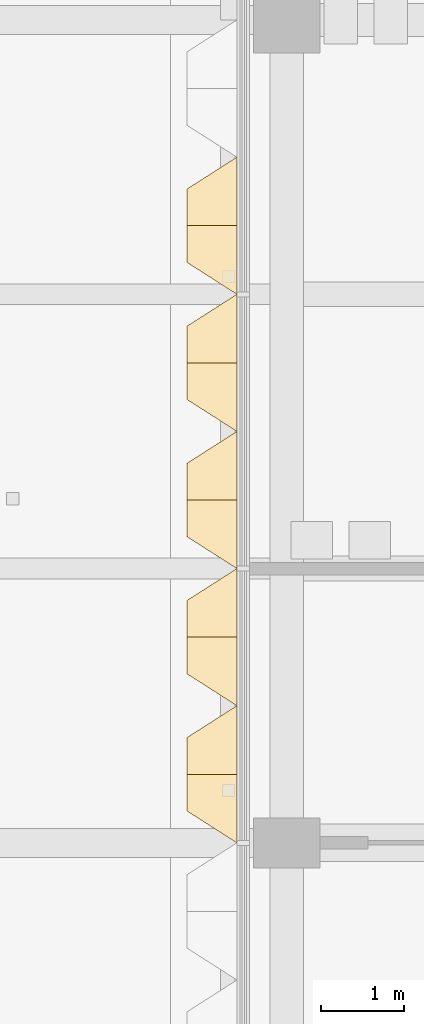
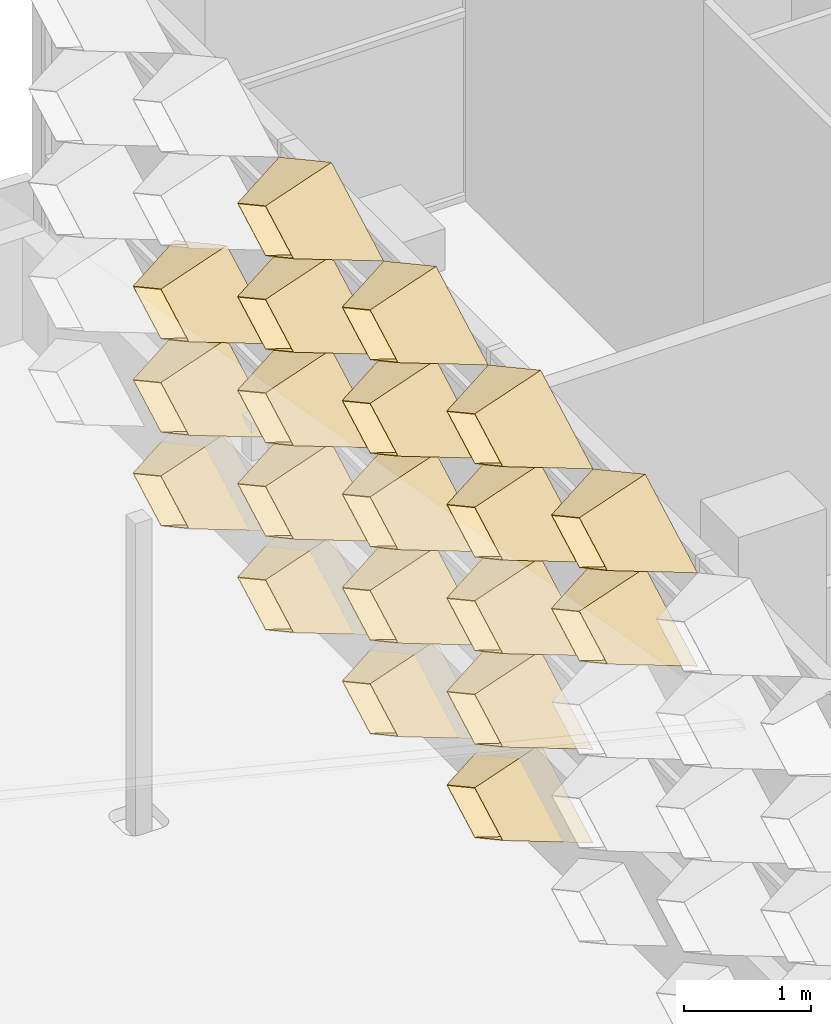
# One storey, part 26 of 39: 20 coverings.
"""IFC4 building model written with IfcOpenShell, lengths in metres."""

from ifc_helpers import new_model, entity, si_unit, direction, frame, origin, place, context, subcontext, project, spatial, material, layer, layer_set, type_object, element, save


model = new_model("IFC4")

# Units and contexts
model_context = context("Model", 3, precision=1e-05, world=origin(), true_north=direction((0.0, 1.0)))
body_context = subcontext(model_context, "Body", "Model", "MODEL_VIEW")
ifc_project = project(units=[si_unit("LENGTHUNIT", "METRE"), si_unit("AREAUNIT", "SQUARE_METRE"), si_unit("VOLUMEUNIT", "CUBIC_METRE"), si_unit("PLANEANGLEUNIT", "RADIAN"), si_unit("MASSUNIT", "GRAM", prefix="KILO")], contexts=[model_context])

# Site, building, storey
site_placement = place(None, origin())
site = spatial("IfcSite", under=ifc_project, at=site_placement, CompositionType="ELEMENT")
building_placement = place(site_placement, origin())
building = spatial("IfcBuilding", under=site, at=building_placement, Name="Lantern Court Research Institute", CompositionType="ELEMENT")
storey_placement = place(building_placement, frame((0.0, 0.0, 27.89990234375)))
storey = spatial("IfcBuildingStorey", under=building, at=storey_placement, Name="L06", CompositionType="ELEMENT", Elevation=27.89990234375)

# Coverings
ifc_material = material(Name="Anodised aluminium", Category="aluminium")
ifc_layer = layer(ifc_material, 0.01611328125)
ifc_layer_set = layer_set([ifc_layer], Name="Anodised aluminium")
covering_type = type_object("IfcCoveringType", Name="Fin cassette 1650 x 900 x 600 aluminium", PredefinedType="CLADDING", material=ifc_layer_set)
covering_1_placement = place(storey_placement, frame((52.199951171875, 15.675048828125, 0.4501953125), z_axis=(-1.0, 0.0, 0.0), x_axis=(0.0, -1.0, 0.0)))
cartesian_point_1 = entity("IfcCartesianPoint", [0.824951171875, 0.0])
cartesian_point_2 = entity("IfcCartesianPoint", [0.79150390625, 0.0])
cartesian_point_3 = entity("IfcCartesianPoint", [0.44189453125, 0.0])
cartesian_point_4 = entity("IfcCartesianPoint", [0.43359375, 0.0])
element("IfcCovering", 1, at=covering_1_placement, inside=storey, type_object=covering_type, Name="Fin cassette V5W-L06 1.10", PredefinedType="CLADDING", context=body_context, shape_type="SweptSolid", body=[
    entity("IfcExtrudedAreaSolidTapered", entity("IfcArbitraryProfileDefWithVoids", "AREA", None, entity("IfcPolyline", [cartesian_point_1, entity("IfcCartesianPoint", [0.0, 0.449951171875]), entity("IfcCartesianPoint", [-0.824951171875, 0.0]), entity("IfcCartesianPoint", [0.0, -0.449951171875]), cartesian_point_1]), [entity("IfcPolyline", [cartesian_point_2, entity("IfcCartesianPoint", [0.0, 0.431884765625]), entity("IfcCartesianPoint", [-0.79150390625, 0.0]), entity("IfcCartesianPoint", [0.0, -0.431884765625]), cartesian_point_2])]), entity("IfcAxis2Placement3D", entity("IfcCartesianPoint", [0.0, 0.0, 0.0])), entity("IfcDirection", [0.0, 0.0, 1.0]), 0.60009765625, entity("IfcArbitraryProfileDefWithVoids", "AREA", None, entity("IfcPolyline", [cartesian_point_3, entity("IfcCartesianPoint", [0.0, 0.240966796875]), entity("IfcCartesianPoint", [-0.44189453125, 0.0]), entity("IfcCartesianPoint", [0.0, -0.240966796875]), cartesian_point_3]), [entity("IfcPolyline", [cartesian_point_4, entity("IfcCartesianPoint", [0.0, 0.236572265625]), entity("IfcCartesianPoint", [-0.43359375, 0.0]), entity("IfcCartesianPoint", [0.0, -0.236572265625]), cartesian_point_4])])),
])
covering_2_placement = place(storey_placement, frame((52.199951171875, 17.324951171875, 0.4501953125), z_axis=(-1.0, 0.0, 0.0), x_axis=(0.0, -1.0, 0.0)))
cartesian_point_5 = entity("IfcCartesianPoint", [0.824951171875, 0.0])
cartesian_point_6 = entity("IfcCartesianPoint", [0.79150390625, 0.0])
cartesian_point_7 = entity("IfcCartesianPoint", [0.44189453125, 0.0])
cartesian_point_8 = entity("IfcCartesianPoint", [0.43359375, 0.0])
element("IfcCovering", 2, at=covering_2_placement, inside=storey, type_object=covering_type, Name="Fin cassette V5W-L06 1.11", PredefinedType="CLADDING", context=body_context, shape_type="SweptSolid", body=[
    entity("IfcExtrudedAreaSolidTapered", entity("IfcArbitraryProfileDefWithVoids", "AREA", None, entity("IfcPolyline", [cartesian_point_5, entity("IfcCartesianPoint", [0.0, 0.449951171875]), entity("IfcCartesianPoint", [-0.824951171875, 0.0]), entity("IfcCartesianPoint", [0.0, -0.449951171875]), cartesian_point_5]), [entity("IfcPolyline", [cartesian_point_6, entity("IfcCartesianPoint", [0.0, 0.431884765625]), entity("IfcCartesianPoint", [-0.79150390625, 0.0]), entity("IfcCartesianPoint", [0.0, -0.431884765625]), cartesian_point_6])]), entity("IfcAxis2Placement3D", entity("IfcCartesianPoint", [0.0, 0.0, 0.0])), entity("IfcDirection", [0.0, 0.0, 1.0]), 0.60009765625, entity("IfcArbitraryProfileDefWithVoids", "AREA", None, entity("IfcPolyline", [cartesian_point_7, entity("IfcCartesianPoint", [0.0, 0.240966796875]), entity("IfcCartesianPoint", [-0.44189453125, 0.0]), entity("IfcCartesianPoint", [0.0, -0.240966796875]), cartesian_point_7]), [entity("IfcPolyline", [cartesian_point_8, entity("IfcCartesianPoint", [0.0, 0.236572265625]), entity("IfcCartesianPoint", [-0.43359375, 0.0]), entity("IfcCartesianPoint", [0.0, -0.236572265625]), cartesian_point_8])])),
])
covering_3_placement = place(storey_placement, frame((52.199951171875, 18.97509765625, 0.4501953125), z_axis=(-1.0, 0.0, 0.0), x_axis=(0.0, -1.0, 0.0)))
cartesian_point_9 = entity("IfcCartesianPoint", [0.824951171875, 0.0])
cartesian_point_10 = entity("IfcCartesianPoint", [0.79150390625, 0.0])
cartesian_point_11 = entity("IfcCartesianPoint", [0.44189453125, 0.0])
cartesian_point_12 = entity("IfcCartesianPoint", [0.43359375, 0.0])
element("IfcCovering", 3, at=covering_3_placement, inside=storey, type_object=covering_type, Name="Fin cassette V5W-L06 1.12", PredefinedType="CLADDING", context=body_context, shape_type="SweptSolid", body=[
    entity("IfcExtrudedAreaSolidTapered", entity("IfcArbitraryProfileDefWithVoids", "AREA", None, entity("IfcPolyline", [cartesian_point_9, entity("IfcCartesianPoint", [0.0, 0.449951171875]), entity("IfcCartesianPoint", [-0.824951171875, 0.0]), entity("IfcCartesianPoint", [0.0, -0.449951171875]), cartesian_point_9]), [entity("IfcPolyline", [cartesian_point_10, entity("IfcCartesianPoint", [0.0, 0.431884765625]), entity("IfcCartesianPoint", [-0.79150390625, 0.0]), entity("IfcCartesianPoint", [0.0, -0.431884765625]), cartesian_point_10])]), entity("IfcAxis2Placement3D", entity("IfcCartesianPoint", [0.0, 0.0, 0.0])), entity("IfcDirection", [0.0, 0.0, 1.0]), 0.60009765625, entity("IfcArbitraryProfileDefWithVoids", "AREA", None, entity("IfcPolyline", [cartesian_point_11, entity("IfcCartesianPoint", [0.0, 0.240966796875]), entity("IfcCartesianPoint", [-0.44189453125, 0.0]), entity("IfcCartesianPoint", [0.0, -0.240966796875]), cartesian_point_11]), [entity("IfcPolyline", [cartesian_point_12, entity("IfcCartesianPoint", [0.0, 0.236572265625]), entity("IfcCartesianPoint", [-0.43359375, 0.0]), entity("IfcCartesianPoint", [0.0, -0.236572265625]), cartesian_point_12])])),
])
covering_4_placement = place(storey_placement, frame((52.199951171875, 20.625, 0.4501953125), z_axis=(-1.0, 0.0, 0.0), x_axis=(0.0, -1.0, 0.0)))
cartesian_point_13 = entity("IfcCartesianPoint", [0.824951171875, 0.0])
cartesian_point_14 = entity("IfcCartesianPoint", [0.79150390625, 0.0])
cartesian_point_15 = entity("IfcCartesianPoint", [0.44189453125, 0.0])
cartesian_point_16 = entity("IfcCartesianPoint", [0.43359375, 0.0])
element("IfcCovering", 4, at=covering_4_placement, inside=storey, type_object=covering_type, Name="Fin cassette V5W-L06 1.13", PredefinedType="CLADDING", context=body_context, shape_type="SweptSolid", body=[
    entity("IfcExtrudedAreaSolidTapered", entity("IfcArbitraryProfileDefWithVoids", "AREA", None, entity("IfcPolyline", [cartesian_point_13, entity("IfcCartesianPoint", [0.0, 0.449951171875]), entity("IfcCartesianPoint", [-0.824951171875, 0.0]), entity("IfcCartesianPoint", [0.0, -0.449951171875]), cartesian_point_13]), [entity("IfcPolyline", [cartesian_point_14, entity("IfcCartesianPoint", [0.0, 0.431884765625]), entity("IfcCartesianPoint", [-0.79150390625, 0.0]), entity("IfcCartesianPoint", [0.0, -0.431884765625]), cartesian_point_14])]), entity("IfcAxis2Placement3D", entity("IfcCartesianPoint", [0.0, 0.0, 0.0])), entity("IfcDirection", [0.0, 0.0, 1.0]), 0.60009765625, entity("IfcArbitraryProfileDefWithVoids", "AREA", None, entity("IfcPolyline", [cartesian_point_15, entity("IfcCartesianPoint", [0.0, 0.240966796875]), entity("IfcCartesianPoint", [-0.44189453125, 0.0]), entity("IfcCartesianPoint", [0.0, -0.240966796875]), cartesian_point_15]), [entity("IfcPolyline", [cartesian_point_16, entity("IfcCartesianPoint", [0.0, 0.236572265625]), entity("IfcCartesianPoint", [-0.43359375, 0.0]), entity("IfcCartesianPoint", [0.0, -0.236572265625]), cartesian_point_16])])),
])
covering_5_placement = place(storey_placement, frame((52.199951171875, 15.675048828125, 1.35009765625), z_axis=(-1.0, 0.0, 0.0), x_axis=(0.0, -1.0, 0.0)))
cartesian_point_17 = entity("IfcCartesianPoint", [0.824951171875, 0.0])
cartesian_point_18 = entity("IfcCartesianPoint", [0.79150390625, 0.0])
cartesian_point_19 = entity("IfcCartesianPoint", [0.44189453125, 0.0])
cartesian_point_20 = entity("IfcCartesianPoint", [0.43359375, 0.0])
element("IfcCovering", 5, at=covering_5_placement, inside=storey, type_object=covering_type, Name="Fin cassette V5W-L06 2.10", PredefinedType="CLADDING", context=body_context, shape_type="SweptSolid", body=[
    entity("IfcExtrudedAreaSolidTapered", entity("IfcArbitraryProfileDefWithVoids", "AREA", None, entity("IfcPolyline", [cartesian_point_17, entity("IfcCartesianPoint", [0.0, 0.449951171875]), entity("IfcCartesianPoint", [-0.824951171875, 0.0]), entity("IfcCartesianPoint", [0.0, -0.449951171875]), cartesian_point_17]), [entity("IfcPolyline", [cartesian_point_18, entity("IfcCartesianPoint", [0.0, 0.431884765625]), entity("IfcCartesianPoint", [-0.79150390625, 0.0]), entity("IfcCartesianPoint", [0.0, -0.431884765625]), cartesian_point_18])]), entity("IfcAxis2Placement3D", entity("IfcCartesianPoint", [0.0, 0.0, 0.0])), entity("IfcDirection", [0.0, 0.0, 1.0]), 0.60009765625, entity("IfcArbitraryProfileDefWithVoids", "AREA", None, entity("IfcPolyline", [cartesian_point_19, entity("IfcCartesianPoint", [0.0, 0.240966796875]), entity("IfcCartesianPoint", [-0.44189453125, 0.0]), entity("IfcCartesianPoint", [0.0, -0.240966796875]), cartesian_point_19]), [entity("IfcPolyline", [cartesian_point_20, entity("IfcCartesianPoint", [0.0, 0.236572265625]), entity("IfcCartesianPoint", [-0.43359375, 0.0]), entity("IfcCartesianPoint", [0.0, -0.236572265625]), cartesian_point_20])])),
])
covering_6_placement = place(storey_placement, frame((52.199951171875, 17.324951171875, 1.35009765625), z_axis=(-1.0, 0.0, 0.0), x_axis=(0.0, -1.0, 0.0)))
cartesian_point_21 = entity("IfcCartesianPoint", [0.824951171875, 0.0])
cartesian_point_22 = entity("IfcCartesianPoint", [0.79150390625, 0.0])
cartesian_point_23 = entity("IfcCartesianPoint", [0.44189453125, 0.0])
cartesian_point_24 = entity("IfcCartesianPoint", [0.43359375, 0.0])
element("IfcCovering", 6, at=covering_6_placement, inside=storey, type_object=covering_type, Name="Fin cassette V5W-L06 2.11", PredefinedType="CLADDING", context=body_context, shape_type="SweptSolid", body=[
    entity("IfcExtrudedAreaSolidTapered", entity("IfcArbitraryProfileDefWithVoids", "AREA", None, entity("IfcPolyline", [cartesian_point_21, entity("IfcCartesianPoint", [0.0, 0.449951171875]), entity("IfcCartesianPoint", [-0.824951171875, 0.0]), entity("IfcCartesianPoint", [0.0, -0.449951171875]), cartesian_point_21]), [entity("IfcPolyline", [cartesian_point_22, entity("IfcCartesianPoint", [0.0, 0.431884765625]), entity("IfcCartesianPoint", [-0.79150390625, 0.0]), entity("IfcCartesianPoint", [0.0, -0.431884765625]), cartesian_point_22])]), entity("IfcAxis2Placement3D", entity("IfcCartesianPoint", [0.0, 0.0, 0.0])), entity("IfcDirection", [0.0, 0.0, 1.0]), 0.60009765625, entity("IfcArbitraryProfileDefWithVoids", "AREA", None, entity("IfcPolyline", [cartesian_point_23, entity("IfcCartesianPoint", [0.0, 0.240966796875]), entity("IfcCartesianPoint", [-0.44189453125, 0.0]), entity("IfcCartesianPoint", [0.0, -0.240966796875]), cartesian_point_23]), [entity("IfcPolyline", [cartesian_point_24, entity("IfcCartesianPoint", [0.0, 0.236572265625]), entity("IfcCartesianPoint", [-0.43359375, 0.0]), entity("IfcCartesianPoint", [0.0, -0.236572265625]), cartesian_point_24])])),
])
covering_7_placement = place(storey_placement, frame((52.199951171875, 18.97509765625, 1.35009765625), z_axis=(-1.0, 0.0, 0.0), x_axis=(0.0, -1.0, 0.0)))
cartesian_point_25 = entity("IfcCartesianPoint", [0.824951171875, 0.0])
cartesian_point_26 = entity("IfcCartesianPoint", [0.79150390625, 0.0])
cartesian_point_27 = entity("IfcCartesianPoint", [0.44189453125, 0.0])
cartesian_point_28 = entity("IfcCartesianPoint", [0.43359375, 0.0])
element("IfcCovering", 7, at=covering_7_placement, inside=storey, type_object=covering_type, Name="Fin cassette V5W-L06 2.12", PredefinedType="CLADDING", context=body_context, shape_type="SweptSolid", body=[
    entity("IfcExtrudedAreaSolidTapered", entity("IfcArbitraryProfileDefWithVoids", "AREA", None, entity("IfcPolyline", [cartesian_point_25, entity("IfcCartesianPoint", [0.0, 0.449951171875]), entity("IfcCartesianPoint", [-0.824951171875, 0.0]), entity("IfcCartesianPoint", [0.0, -0.449951171875]), cartesian_point_25]), [entity("IfcPolyline", [cartesian_point_26, entity("IfcCartesianPoint", [0.0, 0.431884765625]), entity("IfcCartesianPoint", [-0.79150390625, 0.0]), entity("IfcCartesianPoint", [0.0, -0.431884765625]), cartesian_point_26])]), entity("IfcAxis2Placement3D", entity("IfcCartesianPoint", [0.0, 0.0, 0.0])), entity("IfcDirection", [0.0, 0.0, 1.0]), 0.60009765625, entity("IfcArbitraryProfileDefWithVoids", "AREA", None, entity("IfcPolyline", [cartesian_point_27, entity("IfcCartesianPoint", [0.0, 0.240966796875]), entity("IfcCartesianPoint", [-0.44189453125, 0.0]), entity("IfcCartesianPoint", [0.0, -0.240966796875]), cartesian_point_27]), [entity("IfcPolyline", [cartesian_point_28, entity("IfcCartesianPoint", [0.0, 0.236572265625]), entity("IfcCartesianPoint", [-0.43359375, 0.0]), entity("IfcCartesianPoint", [0.0, -0.236572265625]), cartesian_point_28])])),
])
covering_8_placement = place(storey_placement, frame((52.199951171875, 20.625, 1.35009765625), z_axis=(-1.0, 0.0, 0.0), x_axis=(0.0, -1.0, 0.0)))
cartesian_point_29 = entity("IfcCartesianPoint", [0.824951171875, 0.0])
cartesian_point_30 = entity("IfcCartesianPoint", [0.79150390625, 0.0])
cartesian_point_31 = entity("IfcCartesianPoint", [0.44189453125, 0.0])
cartesian_point_32 = entity("IfcCartesianPoint", [0.43359375, 0.0])
element("IfcCovering", 8, at=covering_8_placement, inside=storey, type_object=covering_type, Name="Fin cassette V5W-L06 2.13", PredefinedType="CLADDING", context=body_context, shape_type="SweptSolid", body=[
    entity("IfcExtrudedAreaSolidTapered", entity("IfcArbitraryProfileDefWithVoids", "AREA", None, entity("IfcPolyline", [cartesian_point_29, entity("IfcCartesianPoint", [0.0, 0.449951171875]), entity("IfcCartesianPoint", [-0.824951171875, 0.0]), entity("IfcCartesianPoint", [0.0, -0.449951171875]), cartesian_point_29]), [entity("IfcPolyline", [cartesian_point_30, entity("IfcCartesianPoint", [0.0, 0.431884765625]), entity("IfcCartesianPoint", [-0.79150390625, 0.0]), entity("IfcCartesianPoint", [0.0, -0.431884765625]), cartesian_point_30])]), entity("IfcAxis2Placement3D", entity("IfcCartesianPoint", [0.0, 0.0, 0.0])), entity("IfcDirection", [0.0, 0.0, 1.0]), 0.60009765625, entity("IfcArbitraryProfileDefWithVoids", "AREA", None, entity("IfcPolyline", [cartesian_point_31, entity("IfcCartesianPoint", [0.0, 0.240966796875]), entity("IfcCartesianPoint", [-0.44189453125, 0.0]), entity("IfcCartesianPoint", [0.0, -0.240966796875]), cartesian_point_31]), [entity("IfcPolyline", [cartesian_point_32, entity("IfcCartesianPoint", [0.0, 0.236572265625]), entity("IfcCartesianPoint", [-0.43359375, 0.0]), entity("IfcCartesianPoint", [0.0, -0.236572265625]), cartesian_point_32])])),
])
covering_9_placement = place(storey_placement, frame((52.199951171875, 15.675048828125, 2.25), z_axis=(-1.0, 0.0, 0.0), x_axis=(0.0, -1.0, 0.0)))
cartesian_point_33 = entity("IfcCartesianPoint", [0.824951171875, 0.0])
cartesian_point_34 = entity("IfcCartesianPoint", [0.79150390625, 0.0])
cartesian_point_35 = entity("IfcCartesianPoint", [0.44189453125, 0.0])
cartesian_point_36 = entity("IfcCartesianPoint", [0.43359375, 0.0])
element("IfcCovering", 9, at=covering_9_placement, inside=storey, type_object=covering_type, Name="Fin cassette V5W-L06 3.10", PredefinedType="CLADDING", context=body_context, shape_type="SweptSolid", body=[
    entity("IfcExtrudedAreaSolidTapered", entity("IfcArbitraryProfileDefWithVoids", "AREA", None, entity("IfcPolyline", [cartesian_point_33, entity("IfcCartesianPoint", [0.0, 0.449951171875]), entity("IfcCartesianPoint", [-0.824951171875, 0.0]), entity("IfcCartesianPoint", [0.0, -0.449951171875]), cartesian_point_33]), [entity("IfcPolyline", [cartesian_point_34, entity("IfcCartesianPoint", [0.0, 0.431884765625]), entity("IfcCartesianPoint", [-0.79150390625, 0.0]), entity("IfcCartesianPoint", [0.0, -0.431884765625]), cartesian_point_34])]), entity("IfcAxis2Placement3D", entity("IfcCartesianPoint", [0.0, 0.0, 0.0])), entity("IfcDirection", [0.0, 0.0, 1.0]), 0.60009765625, entity("IfcArbitraryProfileDefWithVoids", "AREA", None, entity("IfcPolyline", [cartesian_point_35, entity("IfcCartesianPoint", [0.0, 0.240966796875]), entity("IfcCartesianPoint", [-0.44189453125, 0.0]), entity("IfcCartesianPoint", [0.0, -0.240966796875]), cartesian_point_35]), [entity("IfcPolyline", [cartesian_point_36, entity("IfcCartesianPoint", [0.0, 0.236572265625]), entity("IfcCartesianPoint", [-0.43359375, 0.0]), entity("IfcCartesianPoint", [0.0, -0.236572265625]), cartesian_point_36])])),
])
covering_10_placement = place(storey_placement, frame((52.199951171875, 17.324951171875, 2.25), z_axis=(-1.0, 0.0, 0.0), x_axis=(0.0, -1.0, 0.0)))
cartesian_point_37 = entity("IfcCartesianPoint", [0.824951171875, 0.0])
cartesian_point_38 = entity("IfcCartesianPoint", [0.79150390625, 0.0])
cartesian_point_39 = entity("IfcCartesianPoint", [0.44189453125, 0.0])
cartesian_point_40 = entity("IfcCartesianPoint", [0.43359375, 0.0])
element("IfcCovering", 10, at=covering_10_placement, inside=storey, type_object=covering_type, Name="Fin cassette V5W-L06 3.11", PredefinedType="CLADDING", context=body_context, shape_type="SweptSolid", body=[
    entity("IfcExtrudedAreaSolidTapered", entity("IfcArbitraryProfileDefWithVoids", "AREA", None, entity("IfcPolyline", [cartesian_point_37, entity("IfcCartesianPoint", [0.0, 0.449951171875]), entity("IfcCartesianPoint", [-0.824951171875, 0.0]), entity("IfcCartesianPoint", [0.0, -0.449951171875]), cartesian_point_37]), [entity("IfcPolyline", [cartesian_point_38, entity("IfcCartesianPoint", [0.0, 0.431884765625]), entity("IfcCartesianPoint", [-0.79150390625, 0.0]), entity("IfcCartesianPoint", [0.0, -0.431884765625]), cartesian_point_38])]), entity("IfcAxis2Placement3D", entity("IfcCartesianPoint", [0.0, 0.0, 0.0])), entity("IfcDirection", [0.0, 0.0, 1.0]), 0.60009765625, entity("IfcArbitraryProfileDefWithVoids", "AREA", None, entity("IfcPolyline", [cartesian_point_39, entity("IfcCartesianPoint", [0.0, 0.240966796875]), entity("IfcCartesianPoint", [-0.44189453125, 0.0]), entity("IfcCartesianPoint", [0.0, -0.240966796875]), cartesian_point_39]), [entity("IfcPolyline", [cartesian_point_40, entity("IfcCartesianPoint", [0.0, 0.236572265625]), entity("IfcCartesianPoint", [-0.43359375, 0.0]), entity("IfcCartesianPoint", [0.0, -0.236572265625]), cartesian_point_40])])),
])
covering_11_placement = place(storey_placement, frame((52.199951171875, 18.97509765625, 2.25), z_axis=(-1.0, 0.0, 0.0), x_axis=(0.0, -1.0, 0.0)))
cartesian_point_41 = entity("IfcCartesianPoint", [0.824951171875, 0.0])
cartesian_point_42 = entity("IfcCartesianPoint", [0.79150390625, 0.0])
cartesian_point_43 = entity("IfcCartesianPoint", [0.44189453125, 0.0])
cartesian_point_44 = entity("IfcCartesianPoint", [0.43359375, 0.0])
element("IfcCovering", 11, at=covering_11_placement, inside=storey, type_object=covering_type, Name="Fin cassette V5W-L06 3.12", PredefinedType="CLADDING", context=body_context, shape_type="SweptSolid", body=[
    entity("IfcExtrudedAreaSolidTapered", entity("IfcArbitraryProfileDefWithVoids", "AREA", None, entity("IfcPolyline", [cartesian_point_41, entity("IfcCartesianPoint", [0.0, 0.449951171875]), entity("IfcCartesianPoint", [-0.824951171875, 0.0]), entity("IfcCartesianPoint", [0.0, -0.449951171875]), cartesian_point_41]), [entity("IfcPolyline", [cartesian_point_42, entity("IfcCartesianPoint", [0.0, 0.431884765625]), entity("IfcCartesianPoint", [-0.79150390625, 0.0]), entity("IfcCartesianPoint", [0.0, -0.431884765625]), cartesian_point_42])]), entity("IfcAxis2Placement3D", entity("IfcCartesianPoint", [0.0, 0.0, 0.0])), entity("IfcDirection", [0.0, 0.0, 1.0]), 0.60009765625, entity("IfcArbitraryProfileDefWithVoids", "AREA", None, entity("IfcPolyline", [cartesian_point_43, entity("IfcCartesianPoint", [0.0, 0.240966796875]), entity("IfcCartesianPoint", [-0.44189453125, 0.0]), entity("IfcCartesianPoint", [0.0, -0.240966796875]), cartesian_point_43]), [entity("IfcPolyline", [cartesian_point_44, entity("IfcCartesianPoint", [0.0, 0.236572265625]), entity("IfcCartesianPoint", [-0.43359375, 0.0]), entity("IfcCartesianPoint", [0.0, -0.236572265625]), cartesian_point_44])])),
])
covering_12_placement = place(storey_placement, frame((52.199951171875, 20.625, 2.25), z_axis=(-1.0, 0.0, 0.0), x_axis=(0.0, -1.0, 0.0)))
cartesian_point_45 = entity("IfcCartesianPoint", [0.824951171875, 0.0])
cartesian_point_46 = entity("IfcCartesianPoint", [0.79150390625, 0.0])
cartesian_point_47 = entity("IfcCartesianPoint", [0.44189453125, 0.0])
cartesian_point_48 = entity("IfcCartesianPoint", [0.43359375, 0.0])
element("IfcCovering", 12, at=covering_12_placement, inside=storey, type_object=covering_type, Name="Fin cassette V5W-L06 3.13", PredefinedType="CLADDING", context=body_context, shape_type="SweptSolid", body=[
    entity("IfcExtrudedAreaSolidTapered", entity("IfcArbitraryProfileDefWithVoids", "AREA", None, entity("IfcPolyline", [cartesian_point_45, entity("IfcCartesianPoint", [0.0, 0.449951171875]), entity("IfcCartesianPoint", [-0.824951171875, 0.0]), entity("IfcCartesianPoint", [0.0, -0.449951171875]), cartesian_point_45]), [entity("IfcPolyline", [cartesian_point_46, entity("IfcCartesianPoint", [0.0, 0.431884765625]), entity("IfcCartesianPoint", [-0.79150390625, 0.0]), entity("IfcCartesianPoint", [0.0, -0.431884765625]), cartesian_point_46])]), entity("IfcAxis2Placement3D", entity("IfcCartesianPoint", [0.0, 0.0, 0.0])), entity("IfcDirection", [0.0, 0.0, 1.0]), 0.60009765625, entity("IfcArbitraryProfileDefWithVoids", "AREA", None, entity("IfcPolyline", [cartesian_point_47, entity("IfcCartesianPoint", [0.0, 0.240966796875]), entity("IfcCartesianPoint", [-0.44189453125, 0.0]), entity("IfcCartesianPoint", [0.0, -0.240966796875]), cartesian_point_47]), [entity("IfcPolyline", [cartesian_point_48, entity("IfcCartesianPoint", [0.0, 0.236572265625]), entity("IfcCartesianPoint", [-0.43359375, 0.0]), entity("IfcCartesianPoint", [0.0, -0.236572265625]), cartesian_point_48])])),
])
covering_13_placement = place(storey_placement, frame((52.199951171875, 14.02490234375, 3.150146484375), z_axis=(-1.0, 0.0, 0.0), x_axis=(0.0, -1.0, 0.0)))
cartesian_point_49 = entity("IfcCartesianPoint", [0.824951171875, 0.0])
cartesian_point_50 = entity("IfcCartesianPoint", [0.79150390625, 0.0])
cartesian_point_51 = entity("IfcCartesianPoint", [0.44189453125, 0.0])
cartesian_point_52 = entity("IfcCartesianPoint", [0.43359375, 0.0])
element("IfcCovering", 13, at=covering_13_placement, inside=storey, type_object=covering_type, Name="Fin cassette V5W-L06 4.9", PredefinedType="CLADDING", context=body_context, shape_type="SweptSolid", body=[
    entity("IfcExtrudedAreaSolidTapered", entity("IfcArbitraryProfileDefWithVoids", "AREA", None, entity("IfcPolyline", [cartesian_point_49, entity("IfcCartesianPoint", [0.0, 0.449951171875]), entity("IfcCartesianPoint", [-0.824951171875, 0.0]), entity("IfcCartesianPoint", [0.0, -0.449951171875]), cartesian_point_49]), [entity("IfcPolyline", [cartesian_point_50, entity("IfcCartesianPoint", [0.0, 0.431884765625]), entity("IfcCartesianPoint", [-0.79150390625, 0.0]), entity("IfcCartesianPoint", [0.0, -0.431884765625]), cartesian_point_50])]), entity("IfcAxis2Placement3D", entity("IfcCartesianPoint", [0.0, 0.0, 0.0])), entity("IfcDirection", [0.0, 0.0, 1.0]), 0.60009765625, entity("IfcArbitraryProfileDefWithVoids", "AREA", None, entity("IfcPolyline", [cartesian_point_51, entity("IfcCartesianPoint", [0.0, 0.240966796875]), entity("IfcCartesianPoint", [-0.44189453125, 0.0]), entity("IfcCartesianPoint", [0.0, -0.240966796875]), cartesian_point_51]), [entity("IfcPolyline", [cartesian_point_52, entity("IfcCartesianPoint", [0.0, 0.236572265625]), entity("IfcCartesianPoint", [-0.43359375, 0.0]), entity("IfcCartesianPoint", [0.0, -0.236572265625]), cartesian_point_52])])),
])
covering_14_placement = place(storey_placement, frame((52.199951171875, 15.675048828125, 3.150146484375), z_axis=(-1.0, 0.0, 0.0), x_axis=(0.0, -1.0, 0.0)))
cartesian_point_53 = entity("IfcCartesianPoint", [0.824951171875, 0.0])
cartesian_point_54 = entity("IfcCartesianPoint", [0.79150390625, 0.0])
cartesian_point_55 = entity("IfcCartesianPoint", [0.44189453125, 0.0])
cartesian_point_56 = entity("IfcCartesianPoint", [0.43359375, 0.0])
element("IfcCovering", 14, at=covering_14_placement, inside=storey, type_object=covering_type, Name="Fin cassette V5W-L06 4.10", PredefinedType="CLADDING", context=body_context, shape_type="SweptSolid", body=[
    entity("IfcExtrudedAreaSolidTapered", entity("IfcArbitraryProfileDefWithVoids", "AREA", None, entity("IfcPolyline", [cartesian_point_53, entity("IfcCartesianPoint", [0.0, 0.449951171875]), entity("IfcCartesianPoint", [-0.824951171875, 0.0]), entity("IfcCartesianPoint", [0.0, -0.449951171875]), cartesian_point_53]), [entity("IfcPolyline", [cartesian_point_54, entity("IfcCartesianPoint", [0.0, 0.431884765625]), entity("IfcCartesianPoint", [-0.79150390625, 0.0]), entity("IfcCartesianPoint", [0.0, -0.431884765625]), cartesian_point_54])]), entity("IfcAxis2Placement3D", entity("IfcCartesianPoint", [0.0, 0.0, 0.0])), entity("IfcDirection", [0.0, 0.0, 1.0]), 0.60009765625, entity("IfcArbitraryProfileDefWithVoids", "AREA", None, entity("IfcPolyline", [cartesian_point_55, entity("IfcCartesianPoint", [0.0, 0.240966796875]), entity("IfcCartesianPoint", [-0.44189453125, 0.0]), entity("IfcCartesianPoint", [0.0, -0.240966796875]), cartesian_point_55]), [entity("IfcPolyline", [cartesian_point_56, entity("IfcCartesianPoint", [0.0, 0.236572265625]), entity("IfcCartesianPoint", [-0.43359375, 0.0]), entity("IfcCartesianPoint", [0.0, -0.236572265625]), cartesian_point_56])])),
])
covering_15_placement = place(storey_placement, frame((52.199951171875, 17.324951171875, 3.150146484375), z_axis=(-1.0, 0.0, 0.0), x_axis=(0.0, -1.0, 0.0)))
cartesian_point_57 = entity("IfcCartesianPoint", [0.824951171875, 0.0])
cartesian_point_58 = entity("IfcCartesianPoint", [0.79150390625, 0.0])
cartesian_point_59 = entity("IfcCartesianPoint", [0.44189453125, 0.0])
cartesian_point_60 = entity("IfcCartesianPoint", [0.43359375, 0.0])
element("IfcCovering", 15, at=covering_15_placement, inside=storey, type_object=covering_type, Name="Fin cassette V5W-L06 4.11", PredefinedType="CLADDING", context=body_context, shape_type="SweptSolid", body=[
    entity("IfcExtrudedAreaSolidTapered", entity("IfcArbitraryProfileDefWithVoids", "AREA", None, entity("IfcPolyline", [cartesian_point_57, entity("IfcCartesianPoint", [0.0, 0.449951171875]), entity("IfcCartesianPoint", [-0.824951171875, 0.0]), entity("IfcCartesianPoint", [0.0, -0.449951171875]), cartesian_point_57]), [entity("IfcPolyline", [cartesian_point_58, entity("IfcCartesianPoint", [0.0, 0.431884765625]), entity("IfcCartesianPoint", [-0.79150390625, 0.0]), entity("IfcCartesianPoint", [0.0, -0.431884765625]), cartesian_point_58])]), entity("IfcAxis2Placement3D", entity("IfcCartesianPoint", [0.0, 0.0, 0.0])), entity("IfcDirection", [0.0, 0.0, 1.0]), 0.60009765625, entity("IfcArbitraryProfileDefWithVoids", "AREA", None, entity("IfcPolyline", [cartesian_point_59, entity("IfcCartesianPoint", [0.0, 0.240966796875]), entity("IfcCartesianPoint", [-0.44189453125, 0.0]), entity("IfcCartesianPoint", [0.0, -0.240966796875]), cartesian_point_59]), [entity("IfcPolyline", [cartesian_point_60, entity("IfcCartesianPoint", [0.0, 0.236572265625]), entity("IfcCartesianPoint", [-0.43359375, 0.0]), entity("IfcCartesianPoint", [0.0, -0.236572265625]), cartesian_point_60])])),
])
covering_16_placement = place(storey_placement, frame((52.199951171875, 18.97509765625, 3.150146484375), z_axis=(-1.0, 0.0, 0.0), x_axis=(0.0, -1.0, 0.0)))
cartesian_point_61 = entity("IfcCartesianPoint", [0.824951171875, 0.0])
cartesian_point_62 = entity("IfcCartesianPoint", [0.79150390625, 0.0])
cartesian_point_63 = entity("IfcCartesianPoint", [0.44189453125, 0.0])
cartesian_point_64 = entity("IfcCartesianPoint", [0.43359375, 0.0])
element("IfcCovering", 16, at=covering_16_placement, inside=storey, type_object=covering_type, Name="Fin cassette V5W-L06 4.12", PredefinedType="CLADDING", context=body_context, shape_type="SweptSolid", body=[
    entity("IfcExtrudedAreaSolidTapered", entity("IfcArbitraryProfileDefWithVoids", "AREA", None, entity("IfcPolyline", [cartesian_point_61, entity("IfcCartesianPoint", [0.0, 0.449951171875]), entity("IfcCartesianPoint", [-0.824951171875, 0.0]), entity("IfcCartesianPoint", [0.0, -0.449951171875]), cartesian_point_61]), [entity("IfcPolyline", [cartesian_point_62, entity("IfcCartesianPoint", [0.0, 0.431884765625]), entity("IfcCartesianPoint", [-0.79150390625, 0.0]), entity("IfcCartesianPoint", [0.0, -0.431884765625]), cartesian_point_62])]), entity("IfcAxis2Placement3D", entity("IfcCartesianPoint", [0.0, 0.0, 0.0])), entity("IfcDirection", [0.0, 0.0, 1.0]), 0.60009765625, entity("IfcArbitraryProfileDefWithVoids", "AREA", None, entity("IfcPolyline", [cartesian_point_63, entity("IfcCartesianPoint", [0.0, 0.240966796875]), entity("IfcCartesianPoint", [-0.44189453125, 0.0]), entity("IfcCartesianPoint", [0.0, -0.240966796875]), cartesian_point_63]), [entity("IfcPolyline", [cartesian_point_64, entity("IfcCartesianPoint", [0.0, 0.236572265625]), entity("IfcCartesianPoint", [-0.43359375, 0.0]), entity("IfcCartesianPoint", [0.0, -0.236572265625]), cartesian_point_64])])),
])
covering_17_placement = place(storey_placement, frame((52.199951171875, 14.02490234375, 4.050048828125), z_axis=(-1.0, 0.0, 0.0), x_axis=(0.0, -1.0, 0.0)))
cartesian_point_65 = entity("IfcCartesianPoint", [0.824951171875, 0.0])
cartesian_point_66 = entity("IfcCartesianPoint", [0.79150390625, 0.0])
cartesian_point_67 = entity("IfcCartesianPoint", [0.44189453125, 0.0])
cartesian_point_68 = entity("IfcCartesianPoint", [0.43359375, 0.0])
element("IfcCovering", 17, at=covering_17_placement, inside=storey, type_object=covering_type, Name="Fin cassette V5W-L06 5.9", PredefinedType="CLADDING", context=body_context, shape_type="SweptSolid", body=[
    entity("IfcExtrudedAreaSolidTapered", entity("IfcArbitraryProfileDefWithVoids", "AREA", None, entity("IfcPolyline", [cartesian_point_65, entity("IfcCartesianPoint", [0.0, 0.449951171875]), entity("IfcCartesianPoint", [-0.824951171875, 0.0]), entity("IfcCartesianPoint", [0.0, -0.449951171875]), cartesian_point_65]), [entity("IfcPolyline", [cartesian_point_66, entity("IfcCartesianPoint", [0.0, 0.431884765625]), entity("IfcCartesianPoint", [-0.79150390625, 0.0]), entity("IfcCartesianPoint", [0.0, -0.431884765625]), cartesian_point_66])]), entity("IfcAxis2Placement3D", entity("IfcCartesianPoint", [0.0, 0.0, 0.0])), entity("IfcDirection", [0.0, 0.0, 1.0]), 0.60009765625, entity("IfcArbitraryProfileDefWithVoids", "AREA", None, entity("IfcPolyline", [cartesian_point_67, entity("IfcCartesianPoint", [0.0, 0.240966796875]), entity("IfcCartesianPoint", [-0.44189453125, 0.0]), entity("IfcCartesianPoint", [0.0, -0.240966796875]), cartesian_point_67]), [entity("IfcPolyline", [cartesian_point_68, entity("IfcCartesianPoint", [0.0, 0.236572265625]), entity("IfcCartesianPoint", [-0.43359375, 0.0]), entity("IfcCartesianPoint", [0.0, -0.236572265625]), cartesian_point_68])])),
])
covering_18_placement = place(storey_placement, frame((52.199951171875, 15.675048828125, 4.050048828125), z_axis=(-1.0, 0.0, 0.0), x_axis=(0.0, -1.0, 0.0)))
cartesian_point_69 = entity("IfcCartesianPoint", [0.824951171875, 0.0])
cartesian_point_70 = entity("IfcCartesianPoint", [0.79150390625, 0.0])
cartesian_point_71 = entity("IfcCartesianPoint", [0.44189453125, 0.0])
cartesian_point_72 = entity("IfcCartesianPoint", [0.43359375, 0.0])
element("IfcCovering", 18, at=covering_18_placement, inside=storey, type_object=covering_type, Name="Fin cassette V5W-L06 5.10", PredefinedType="CLADDING", context=body_context, shape_type="SweptSolid", body=[
    entity("IfcExtrudedAreaSolidTapered", entity("IfcArbitraryProfileDefWithVoids", "AREA", None, entity("IfcPolyline", [cartesian_point_69, entity("IfcCartesianPoint", [0.0, 0.449951171875]), entity("IfcCartesianPoint", [-0.824951171875, 0.0]), entity("IfcCartesianPoint", [0.0, -0.449951171875]), cartesian_point_69]), [entity("IfcPolyline", [cartesian_point_70, entity("IfcCartesianPoint", [0.0, 0.431884765625]), entity("IfcCartesianPoint", [-0.79150390625, 0.0]), entity("IfcCartesianPoint", [0.0, -0.431884765625]), cartesian_point_70])]), entity("IfcAxis2Placement3D", entity("IfcCartesianPoint", [0.0, 0.0, 0.0])), entity("IfcDirection", [0.0, 0.0, 1.0]), 0.60009765625, entity("IfcArbitraryProfileDefWithVoids", "AREA", None, entity("IfcPolyline", [cartesian_point_71, entity("IfcCartesianPoint", [0.0, 0.240966796875]), entity("IfcCartesianPoint", [-0.44189453125, 0.0]), entity("IfcCartesianPoint", [0.0, -0.240966796875]), cartesian_point_71]), [entity("IfcPolyline", [cartesian_point_72, entity("IfcCartesianPoint", [0.0, 0.236572265625]), entity("IfcCartesianPoint", [-0.43359375, 0.0]), entity("IfcCartesianPoint", [0.0, -0.236572265625]), cartesian_point_72])])),
])
covering_19_placement = place(storey_placement, frame((52.199951171875, 17.324951171875, 4.050048828125), z_axis=(-1.0, 0.0, 0.0), x_axis=(0.0, -1.0, 0.0)))
cartesian_point_73 = entity("IfcCartesianPoint", [0.824951171875, 0.0])
cartesian_point_74 = entity("IfcCartesianPoint", [0.79150390625, 0.0])
cartesian_point_75 = entity("IfcCartesianPoint", [0.44189453125, 0.0])
cartesian_point_76 = entity("IfcCartesianPoint", [0.43359375, 0.0])
element("IfcCovering", 19, at=covering_19_placement, inside=storey, type_object=covering_type, Name="Fin cassette V5W-L06 5.11", PredefinedType="CLADDING", context=body_context, shape_type="SweptSolid", body=[
    entity("IfcExtrudedAreaSolidTapered", entity("IfcArbitraryProfileDefWithVoids", "AREA", None, entity("IfcPolyline", [cartesian_point_73, entity("IfcCartesianPoint", [0.0, 0.449951171875]), entity("IfcCartesianPoint", [-0.824951171875, 0.0]), entity("IfcCartesianPoint", [0.0, -0.449951171875]), cartesian_point_73]), [entity("IfcPolyline", [cartesian_point_74, entity("IfcCartesianPoint", [0.0, 0.431884765625]), entity("IfcCartesianPoint", [-0.79150390625, 0.0]), entity("IfcCartesianPoint", [0.0, -0.431884765625]), cartesian_point_74])]), entity("IfcAxis2Placement3D", entity("IfcCartesianPoint", [0.0, 0.0, 0.0])), entity("IfcDirection", [0.0, 0.0, 1.0]), 0.60009765625, entity("IfcArbitraryProfileDefWithVoids", "AREA", None, entity("IfcPolyline", [cartesian_point_75, entity("IfcCartesianPoint", [0.0, 0.240966796875]), entity("IfcCartesianPoint", [-0.44189453125, 0.0]), entity("IfcCartesianPoint", [0.0, -0.240966796875]), cartesian_point_75]), [entity("IfcPolyline", [cartesian_point_76, entity("IfcCartesianPoint", [0.0, 0.236572265625]), entity("IfcCartesianPoint", [-0.43359375, 0.0]), entity("IfcCartesianPoint", [0.0, -0.236572265625]), cartesian_point_76])])),
])
covering_20_placement = place(storey_placement, frame((52.199951171875, 18.97509765625, 4.050048828125), z_axis=(-1.0, 0.0, 0.0), x_axis=(0.0, -1.0, 0.0)))
cartesian_point_77 = entity("IfcCartesianPoint", [0.824951171875, 0.0])
cartesian_point_78 = entity("IfcCartesianPoint", [0.79150390625, 0.0])
cartesian_point_79 = entity("IfcCartesianPoint", [0.44189453125, 0.0])
cartesian_point_80 = entity("IfcCartesianPoint", [0.43359375, 0.0])
element("IfcCovering", 20, at=covering_20_placement, inside=storey, type_object=covering_type, Name="Fin cassette V5W-L06 5.12", PredefinedType="CLADDING", context=body_context, shape_type="SweptSolid", body=[
    entity("IfcExtrudedAreaSolidTapered", entity("IfcArbitraryProfileDefWithVoids", "AREA", None, entity("IfcPolyline", [cartesian_point_77, entity("IfcCartesianPoint", [0.0, 0.449951171875]), entity("IfcCartesianPoint", [-0.824951171875, 0.0]), entity("IfcCartesianPoint", [0.0, -0.449951171875]), cartesian_point_77]), [entity("IfcPolyline", [cartesian_point_78, entity("IfcCartesianPoint", [0.0, 0.431884765625]), entity("IfcCartesianPoint", [-0.79150390625, 0.0]), entity("IfcCartesianPoint", [0.0, -0.431884765625]), cartesian_point_78])]), entity("IfcAxis2Placement3D", entity("IfcCartesianPoint", [0.0, 0.0, 0.0])), entity("IfcDirection", [0.0, 0.0, 1.0]), 0.60009765625, entity("IfcArbitraryProfileDefWithVoids", "AREA", None, entity("IfcPolyline", [cartesian_point_79, entity("IfcCartesianPoint", [0.0, 0.240966796875]), entity("IfcCartesianPoint", [-0.44189453125, 0.0]), entity("IfcCartesianPoint", [0.0, -0.240966796875]), cartesian_point_79]), [entity("IfcPolyline", [cartesian_point_80, entity("IfcCartesianPoint", [0.0, 0.236572265625]), entity("IfcCartesianPoint", [-0.43359375, 0.0]), entity("IfcCartesianPoint", [0.0, -0.236572265625]), cartesian_point_80])])),
])

save(model, "model.ifc")
